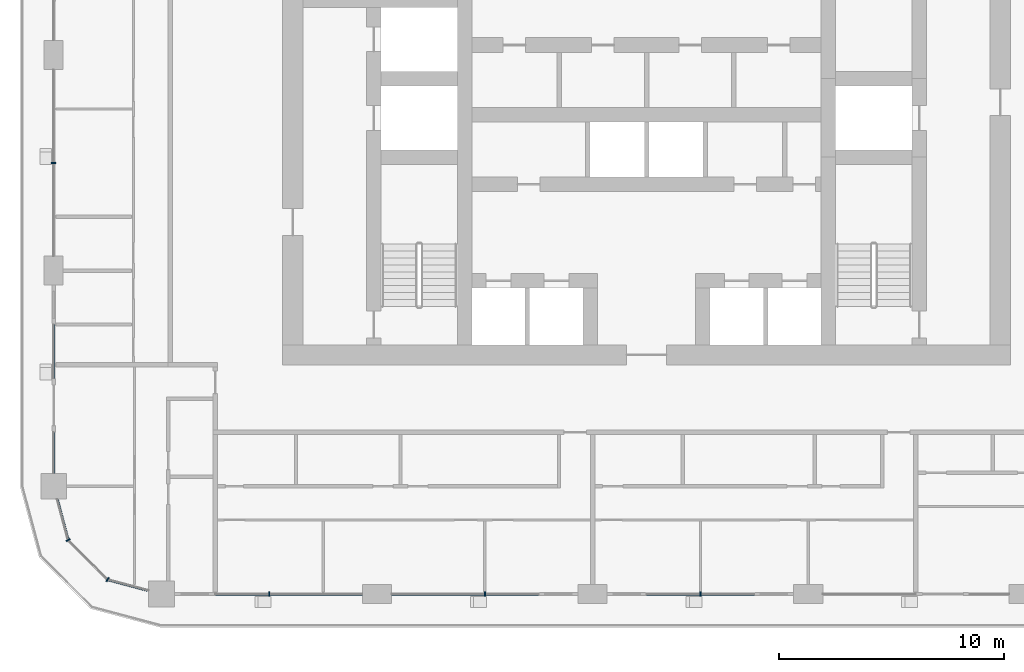
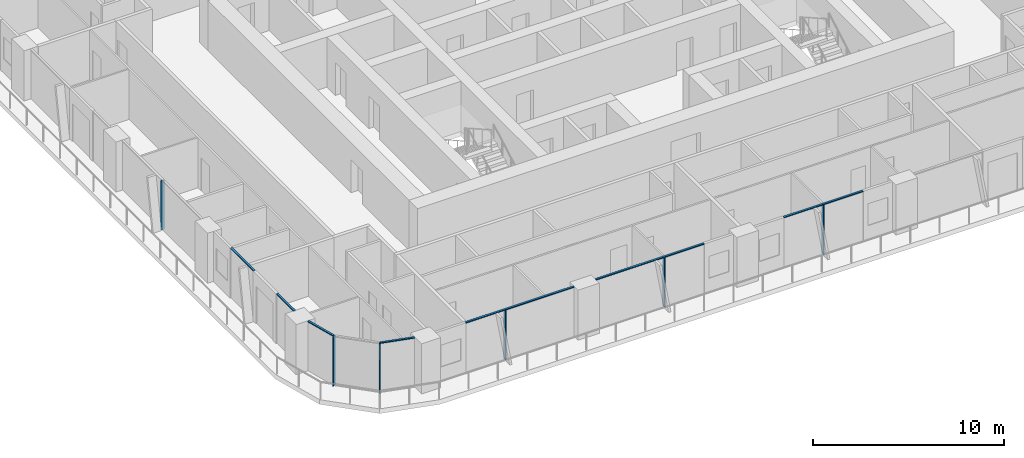
# One storey, part 2 of 21: 13 members, 6 elements without a shape of their own.
"""IFC4 building model written with IfcOpenShell, lengths in metres."""

from ifc_helpers import new_model, si_unit, direction, frame, origin, origin_2d, place, context, subcontext, project, spatial, rectangle, extrude, material, layer, layer_set, material_profile, profile_set, type_object, element, aggregate, save


model = new_model("IFC4")

# Units and contexts
model_context = context("Model", 3, precision=1e-05, world=origin(), true_north=direction((0.0, 1.0)))
body_context = subcontext(model_context, "Body", "Model", "MODEL_VIEW")
ifc_project = project(units=[si_unit("LENGTHUNIT", "METRE"), si_unit("AREAUNIT", "SQUARE_METRE"), si_unit("VOLUMEUNIT", "CUBIC_METRE"), si_unit("PLANEANGLEUNIT", "RADIAN"), si_unit("MASSUNIT", "GRAM", prefix="KILO")], contexts=[model_context])

# Site, building, storey
site_placement = place(None, origin())
site = spatial("IfcSite", under=ifc_project, at=site_placement, CompositionType="ELEMENT")
building_placement = place(site_placement, origin())
building = spatial("IfcBuilding", under=site, at=building_placement, Name="Madar Terraces", CompositionType="ELEMENT")
storey_placement = place(building_placement, frame((0.0, 0.0, 92.699951171875)))
storey = spatial("IfcBuildingStorey", under=building, at=storey_placement, Name="L23", CompositionType="ELEMENT", Elevation=92.699951171875)

# Curtain wall, member
ifc_material_1 = material(Name="Glass, ceramic frit dark grey, with black aluminium frame", Category="aluminium")
ifc_layer = layer(ifc_material_1, 0.199951171875)
ifc_layer_set = layer_set([ifc_layer], Name="Facade curtain wall, fritted glass")
curtain_wall_type = type_object("IfcCurtainWallType", Name="Facade curtain wall, fritted glass", PredefinedType="NOTDEFINED", material=ifc_layer_set)
curtain_wall_1_placement = place(storey_placement, origin())
curtain_wall_1 = element("IfcCurtainWall", 1, at=curtain_wall_1_placement, inside=storey, type_object=curtain_wall_type, Name="Outer skin curtain wall south bay 1", PredefinedType="NOTDEFINED")
ifc_material_2 = material(Name="Aluminium, black anodised", Category="aluminium")
ifc_material_profile_1 = material_profile(ifc_material_2, rectangle(XDim=0.199951171875, YDim=0.06005859375, at=origin_2d()), Name="Facade mullion 60x200")
ifc_profile_set_1 = profile_set([ifc_material_profile_1], Name="Aluminium, black anodised")
member_type_1 = type_object("IfcMemberType", Name="Facade mullion 60x200", PredefinedType="MULLION", material=ifc_profile_set_1)
member_1_placement = place(storey_placement, frame((14.39990234375, 4.800048828125, 0.0), z_axis=(0.0, 0.0, 1.0), x_axis=(0.0, 1.0, 0.0)))
member_1 = element("IfcMember", 2, at=member_1_placement, type_object=member_type_1, Name="Mullion 1", PredefinedType="MULLION", context=body_context, shape_type="SweptSolid", body=[
    extrude(rectangle(XDim=0.199951171875, YDim=0.06005859375, at=origin_2d()), origin(), (0.0, 0.0, 1.0), 3.14013671875),
])

curtain_wall_2_placement = place(storey_placement, origin())
curtain_wall_2 = element("IfcCurtainWall", 3, at=curtain_wall_2_placement, inside=storey, type_object=curtain_wall_type, Name="Outer skin curtain wall south bay 2", PredefinedType="NOTDEFINED")
member_2_placement = place(storey_placement, frame((24.0, 4.800048828125, 0.0), z_axis=(0.0, 0.0, 1.0), x_axis=(0.0, 1.0, 0.0)))
member_2 = element("IfcMember", 4, at=member_2_placement, type_object=member_type_1, Name="Mullion 1", PredefinedType="MULLION", context=body_context, shape_type="SweptSolid", body=[
    extrude(rectangle(XDim=0.199951171875, YDim=0.06005859375, at=origin_2d()), origin(), (0.0, 0.0, 1.0), 3.14013671875),
])

curtain_wall_3_placement = place(storey_placement, origin())
curtain_wall_3 = element("IfcCurtainWall", 5, at=curtain_wall_3_placement, inside=storey, type_object=curtain_wall_type, Name="Outer skin curtain wall south bay 3", PredefinedType="NOTDEFINED")
member_3_placement = place(storey_placement, frame((33.60009765625, 4.800048828125, 0.0), z_axis=(0.0, 0.0, 1.0), x_axis=(0.0, 1.0, 0.0)))
member_3 = element("IfcMember", 6, at=member_3_placement, type_object=member_type_1, Name="Mullion 1", PredefinedType="MULLION", context=body_context, shape_type="SweptSolid", body=[
    extrude(rectangle(XDim=0.199951171875, YDim=0.06005859375, at=origin_2d()), origin(), (0.0, 0.0, 1.0), 3.14013671875),
])

curtain_wall_4_placement = place(storey_placement, origin())
curtain_wall_4 = element("IfcCurtainWall", 7, at=curtain_wall_4_placement, inside=storey, type_object=curtain_wall_type, Name="Outer skin curtain wall west bay 3", PredefinedType="NOTDEFINED")
member_4_placement = place(storey_placement, frame((4.800048828125, 24.0, 0.0), z_axis=(0.0, 0.0, 1.0), x_axis=(1.0, 0.0, 0.0)))
member_4 = element("IfcMember", 8, at=member_4_placement, type_object=member_type_1, Name="Mullion 1", PredefinedType="MULLION", context=body_context, shape_type="SweptSolid", body=[
    extrude(rectangle(XDim=0.199951171875, YDim=0.06005859375, at=origin_2d()), origin(), (0.0, 0.0, 1.0), 3.14013671875),
])
aggregate(curtain_wall_4, [member_4])

# Curtain wall, members
curtain_wall_5_placement = place(storey_placement, origin())
curtain_wall_5 = element("IfcCurtainWall", 9, at=curtain_wall_5_placement, inside=storey, type_object=curtain_wall_type, Name="Outer skin curtain wall south-west corner", PredefinedType="NOTDEFINED")
member_5_placement = place(storey_placement, frame((5.443115234375, 7.199951171875, 0.0), z_axis=(0.0, 0.0, 1.0), x_axis=(0.866025409797, 0.499999989586, 0.0)))
member_5 = element("IfcMember", 10, at=member_5_placement, type_object=member_type_1, Name="Mullion 1", PredefinedType="MULLION", context=body_context, shape_type="SweptSolid", body=[
    extrude(rectangle(XDim=0.199951171875, YDim=0.06005859375, at=origin_2d()), origin(), (0.0, 0.0, 1.0), 3.14013671875),
])
member_6_placement = place(storey_placement, frame((7.199951171875, 5.443115234375, 0.0), z_axis=(0.0, 0.0, 1.0), x_axis=(0.499999989586, 0.866025409797, 0.0)))
member_6 = element("IfcMember", 11, at=member_6_placement, type_object=member_type_1, Name="Mullion 2", PredefinedType="MULLION", context=body_context, shape_type="SweptSolid", body=[
    extrude(rectangle(XDim=0.199951171875, YDim=0.06005859375, at=origin_2d()), origin(), (0.0, 0.0, 1.0), 3.14013671875),
])

# Member
ifc_material_3 = material(Name="Aluminium, black anodised", Category="aluminium")
ifc_material_profile_2 = material_profile(ifc_material_3, rectangle(XDim=0.1201171875, YDim=0.06005859375, at=origin_2d()), Name="Facade transom 60x120")
ifc_profile_set_2 = profile_set([ifc_material_profile_2], Name="Aluminium, black anodised")
member_type_2 = type_object("IfcMemberType", Name="Facade transom 60x120", PredefinedType="USERDEFINED", material=ifc_profile_set_2)
member_7_placement = place(storey_placement, frame((12.0, 4.800048828125, 3.170166015625), z_axis=(1.0, 0.0, 0.0), x_axis=(0.0, 1.0, 0.0)))
member_7 = element("IfcMember", 12, at=member_7_placement, type_object=member_type_2, Name="Transom 1", ObjectType="TRANSOM", PredefinedType="USERDEFINED", context=body_context, shape_type="SweptSolid", body=[
    extrude(rectangle(XDim=0.1201171875, YDim=0.06005859375, at=origin_2d()), origin(), (0.0, 0.0, 1.0), 6.550048828125),
])

aggregate(curtain_wall_1, [member_1, member_7])

member_8_placement = place(storey_placement, frame((19.85009765625, 4.800048828125, 3.170166015625), z_axis=(1.0, 0.0, 0.0), x_axis=(0.0, 1.0, 0.0)))
member_8 = element("IfcMember", 13, at=member_8_placement, type_object=member_type_2, Name="Transom 1", ObjectType="TRANSOM", PredefinedType="USERDEFINED", context=body_context, shape_type="SweptSolid", body=[
    extrude(rectangle(XDim=0.1201171875, YDim=0.06005859375, at=origin_2d()), origin(), (0.0, 0.0, 1.0), 6.5498046875),
])

aggregate(curtain_wall_2, [member_2, member_8])

member_9_placement = place(storey_placement, frame((31.199951171875, 4.800048828125, 3.170166015625), z_axis=(1.0, 0.0, 0.0), x_axis=(0.0, 1.0, 0.0)))
member_9 = element("IfcMember", 14, at=member_9_placement, type_object=member_type_2, Name="Transom 1", ObjectType="TRANSOM", PredefinedType="USERDEFINED", context=body_context, shape_type="SweptSolid", body=[
    extrude(rectangle(XDim=0.1201171875, YDim=0.06005859375, at=origin_2d()), origin(), (0.0, 0.0, 1.0), 4.800048828125),
])

aggregate(curtain_wall_3, [member_3, member_9])

# Curtain wall, members
curtain_wall_6_placement = place(storey_placement, origin())
curtain_wall_6 = element("IfcCurtainWall", 15, at=curtain_wall_6_placement, inside=storey, type_object=curtain_wall_type, Name="Outer skin curtain wall west bay 4", PredefinedType="NOTDEFINED")
member_10_placement = place(storey_placement, frame((4.800048828125, 16.800048828125, 3.170166015625), z_axis=(0.0, -1.0, 0.0), x_axis=(1.0, 0.0, 0.0)))
member_10 = element("IfcMember", 16, at=member_10_placement, type_object=member_type_2, Name="Transom 1", ObjectType="TRANSOM", PredefinedType="USERDEFINED", context=body_context, shape_type="SweptSolid", body=[
    extrude(rectangle(XDim=0.1201171875, YDim=0.06005859375, at=origin_2d()), origin(), (0.0, 0.0, 1.0), 2.400146484375),
])
member_11_placement = place(storey_placement, frame((4.800048828125, 12.0, 3.170166015625), z_axis=(0.0, -1.0, 0.0), x_axis=(1.0, 0.0, 0.0)))
member_11 = element("IfcMember", 17, at=member_11_placement, type_object=member_type_2, Name="Transom 2", ObjectType="TRANSOM", PredefinedType="USERDEFINED", context=body_context, shape_type="SweptSolid", body=[
    extrude(rectangle(XDim=0.1201171875, YDim=0.06005859375, at=origin_2d()), origin(), (0.0, 0.0, 1.0), 1.824951171875),
])
aggregate(curtain_wall_6, [member_10, member_11])

# Member
member_12_placement = place(storey_placement, frame((4.9541015625, 9.02490234375, 3.170166015625), z_axis=(0.258814847786, -0.965926950947, 0.0), x_axis=(0.965926950947, 0.258814847786, 0.0)))
member_12 = element("IfcMember", 18, at=member_12_placement, type_object=member_type_2, Name="Transom 1", ObjectType="TRANSOM", PredefinedType="USERDEFINED", context=body_context, shape_type="SweptSolid", body=[
    extrude(rectangle(XDim=0.1201171875, YDim=0.06005859375, at=origin_2d()), origin(), (0.0, 0.0, 1.0), 1.859130859375),
])

member_13_placement = place(storey_placement, frame((7.22900390625, 5.435302734375, 3.170166015625), z_axis=(0.965926950947, -0.258814847786, 0.0), x_axis=(0.258814847786, 0.965926950947, 0.0)))
member_13 = element("IfcMember", 19, at=member_13_placement, type_object=member_type_2, Name="Transom 3", ObjectType="TRANSOM", PredefinedType="USERDEFINED", context=body_context, shape_type="SweptSolid", body=[
    extrude(rectangle(XDim=0.1201171875, YDim=0.06005859375, at=origin_2d()), origin(), (0.0, 0.0, 1.0), 1.859130859375),
])

aggregate(curtain_wall_5, [member_5, member_12, member_6, member_13])

save(model, "model.ifc")
